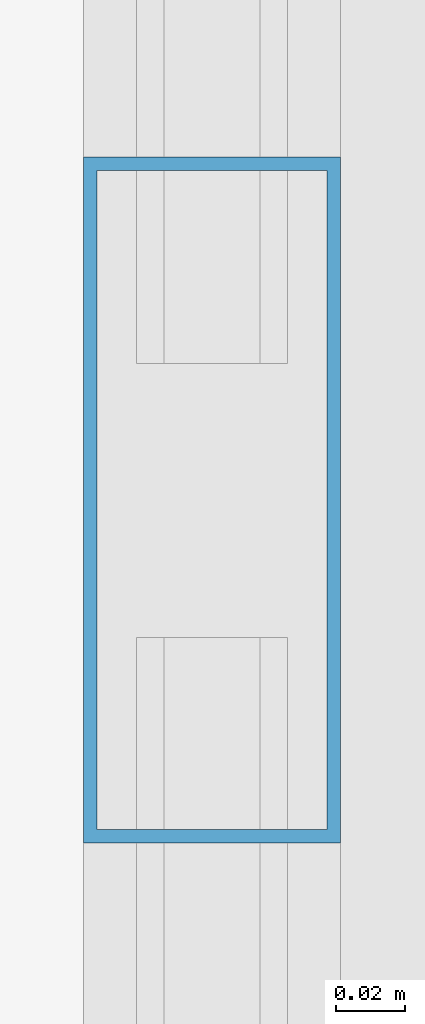
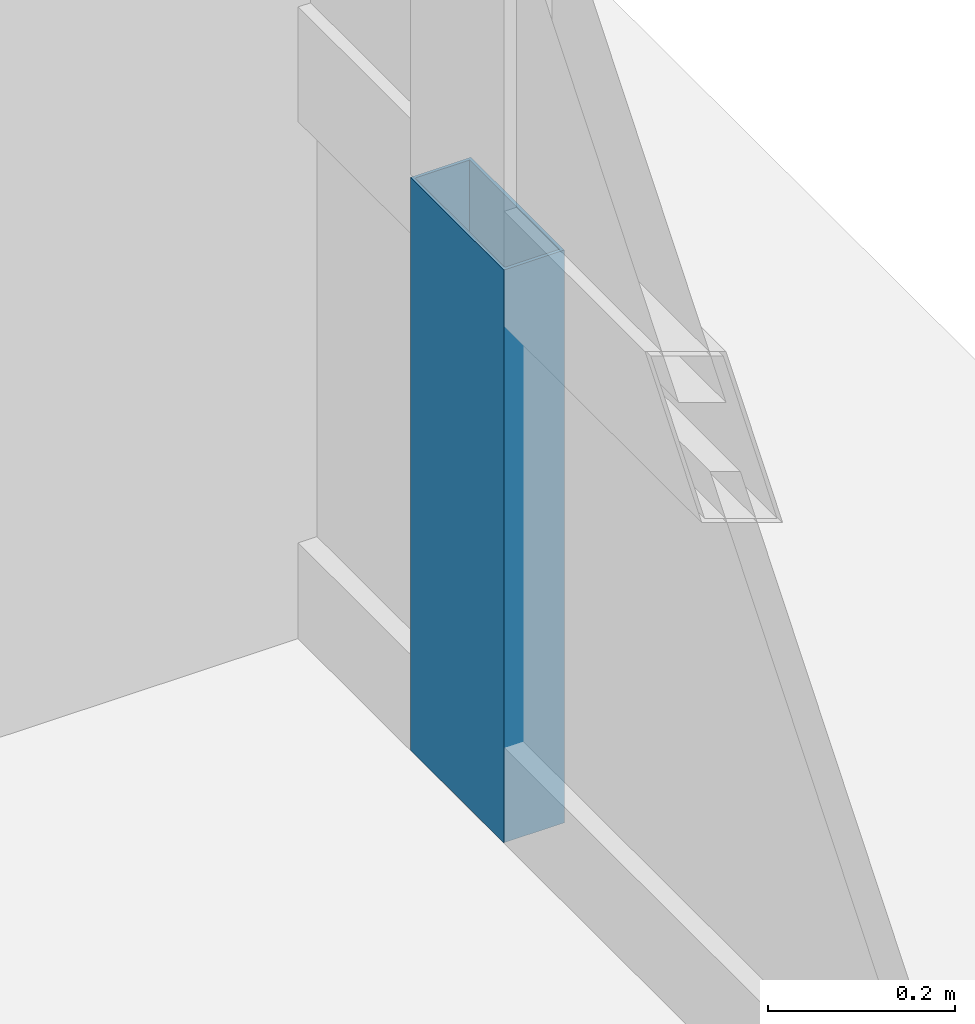
# One storey, part 25 of 35: 1 member, 1 element without a shape of its own.
"""IFC4 building model written with IfcOpenShell, lengths in metres."""

import ifcopenshell
import ifcopenshell.guid

model = None  # the IFC model being written
_history = None  # IfcOwnerHistory: only IFC2X3 demands one
_inside = {}  # id of a spatial element -> (the spatial element, [elements in it])
_under = {}  # id of a project, library or spatial element -> (it, [spatial elements below it])
_declared = {}  # id of a project -> (the project, [libraries it declares])
_typed = {}  # id of a type object -> (the type object, [elements of that type])
_made_of = {}  # id of a material, layer set ... -> (it, [elements and type objects made of it])


def new_model(schema):
    """Start an empty IFC model of exactly this schema.

    Asked for "IFC4X3", IfcOpenShell would pick the latest addendum, in which some entities
    have other attributes; the version numbers below select the first issue.
    IFC2X3 requires an IfcOwnerHistory on every rooted entity: one is made here for all.
    """
    global model, _history
    if schema == "IFC4X3":
        model = ifcopenshell.file(schema_version=(4, 3, 0, 0))
    else:
        model = ifcopenshell.file(schema=schema)
    _inside.clear()
    _under.clear()
    _declared.clear()
    _typed.clear()
    _made_of.clear()
    _history = None
    if model.schema == "IFC2X3":
        org = make("IfcOrganization", Name="unknown")
        user = make(
            "IfcPersonAndOrganization",
            ThePerson=make("IfcPerson", FamilyName="unknown"),
            TheOrganization=org,
        )
        app = make(
            "IfcApplication",
            ApplicationDeveloper=org,
            Version="unknown",
            ApplicationFullName="unknown",
            ApplicationIdentifier="unknown",
        )
        _history = make(
            "IfcOwnerHistory",
            OwningUser=user,
            OwningApplication=app,
            ChangeAction="ADDED",
            CreationDate=0,
        )
    return model


def make(cls, **values):
    """One entity of the class cls with the attributes given. An attribute that is None is left unset."""
    return model.create_entity(
        cls, **{name: value for name, value in values.items() if value is not None}
    )


def rooted(cls, **values):
    """An entity with a GlobalId (a new one), such as an element, a storey or a relation."""
    return make(cls, GlobalId=ifcopenshell.guid.new(), OwnerHistory=_history, **values)


def si_unit(unit_type, name, prefix=None):
    """IfcSIUnit, for example si_unit("LENGTHUNIT", "METRE", prefix="MILLI")."""
    return make("IfcSIUnit", UnitType=unit_type, Prefix=prefix, Name=name)


def assignment(units):
    """IfcUnitAssignment: the units of a project."""
    return None if units is None else make("IfcUnitAssignment", Units=units)


def point(xyz):
    """IfcCartesianPoint."""
    return None if xyz is None else make("IfcCartesianPoint", Coordinates=xyz)


def direction(xyz):
    """IfcDirection."""
    return None if xyz is None else make("IfcDirection", DirectionRatios=xyz)


def frame(location, z_axis=None, x_axis=None):
    """IfcAxis2Placement3D, a coordinate frame: its origin and axes. An axis left out is left unset."""
    return make(
        "IfcAxis2Placement3D",
        Location=point(location),
        Axis=direction(z_axis),
        RefDirection=direction(x_axis),
    )


def frame_2d(location, x_axis=None):
    """IfcAxis2Placement2D, a coordinate frame in the plane: its origin and x axis."""
    return make(
        "IfcAxis2Placement2D", Location=point(location), RefDirection=direction(x_axis)
    )


def origin():
    """The frame at (0, 0, 0) with its axes left unset."""
    return frame((0.0, 0.0, 0.0))


def origin_2d():
    """The frame at (0, 0) in the plane with its x axis left unset."""
    return frame_2d((0.0, 0.0))


def place(relative_to, where):
    """IfcLocalPlacement: puts the frame where relative to a parent placement (None: the world)."""
    return make(
        "IfcLocalPlacement", PlacementRelTo=relative_to, RelativePlacement=where
    )


def context(
    kind, dimensions, precision=None, world=None, true_north=None, identifier=None
):
    """IfcGeometricRepresentationContext, for example the 3D "Model" context."""
    return make(
        "IfcGeometricRepresentationContext",
        ContextIdentifier=identifier,
        ContextType=kind,
        CoordinateSpaceDimension=dimensions,
        Precision=precision,
        WorldCoordinateSystem=world,
        TrueNorth=true_north,
    )


def subcontext(parent, identifier, kind, view, scale=None):
    """IfcGeometricRepresentationSubContext, for example "Body" below "Model"."""
    return make(
        "IfcGeometricRepresentationSubContext",
        ContextIdentifier=identifier,
        ContextType=kind,
        ParentContext=parent,
        TargetScale=scale,
        TargetView=view,
    )


def project(units=None, contexts=None):
    """IfcProject with its units and contexts."""
    return rooted(
        "IfcProject",
        Name="project",
        RepresentationContexts=contexts,
        UnitsInContext=assignment(units),
    )


def spatial(cls, under=None, at=None, **own):
    """A site, building, storey or space (cls), placed at a placement, below another one or the project."""
    s = rooted(cls, ObjectPlacement=at, **own)
    if under is not None:
        _under.setdefault(under.id(), (under, []))[1].append(s)
    return s


def profile(cls, at=None, kind="AREA", **sizes):
    """A parametric profile (cls). Its sizes go by their IFC names, for example OverallWidth=200.0."""
    return make(cls, ProfileType=kind, Position=at, **sizes)


def hollow_rectangle(**sizes):
    """IfcRectangleHollowProfileDef."""
    return profile("IfcRectangleHollowProfileDef", **sizes)


def extrude(swept, where, along, depth):
    """IfcExtrudedAreaSolid: the profile swept, set in the frame where, extruded along a direction by depth."""
    return make(
        "IfcExtrudedAreaSolid",
        SweptArea=swept,
        Position=where,
        ExtrudedDirection=direction(along),
        Depth=depth,
    )


def shape(context_of_items, identifier, shape_type, items):
    """IfcShapeRepresentation: the items that make up one representation, for example the "Body"."""
    return make(
        "IfcShapeRepresentation",
        ContextOfItems=context_of_items,
        RepresentationIdentifier=identifier,
        RepresentationType=shape_type,
        Items=items,
    )


def source(mapping_origin, context_of_items, identifier, shape_type, items):
    """IfcRepresentationMap: a shape defined once, which mapped items show again and again."""
    return make(
        "IfcRepresentationMap",
        MappingOrigin=mapping_origin,
        MappedRepresentation=shape(context_of_items, identifier, shape_type, items),
    )


def transform(
    local_origin,
    x_axis=None,
    y_axis=None,
    z_axis=None,
    scale=None,
    scale2=None,
    scale3=None,
    uniform=True,
):
    """IfcCartesianTransformationOperator3D, or its non-uniform kind. x_axis, y_axis, z_axis: its Axis1, 2, 3."""
    if uniform:
        return make(
            "IfcCartesianTransformationOperator3D",
            Axis1=direction(x_axis),
            Axis2=direction(y_axis),
            LocalOrigin=point(local_origin),
            Scale=scale,
            Axis3=direction(z_axis),
        )
    return make(
        "IfcCartesianTransformationOperator3DnonUniform",
        Axis1=direction(x_axis),
        Axis2=direction(y_axis),
        LocalOrigin=point(local_origin),
        Scale=scale,
        Axis3=direction(z_axis),
        Scale2=scale2,
        Scale3=scale3,
    )


def mapped(mapping_source, mapping_target):
    """IfcMappedItem: shows the shape of a source again, moved by a transform."""
    return make(
        "IfcMappedItem", MappingSource=mapping_source, MappingTarget=mapping_target
    )


def material(Name=None, Category=None):
    """IfcMaterial."""
    return make("IfcMaterial", Name=Name, Category=Category)


def layer(
    of_material, thickness, ventilated=None, Name=None, Category=None, Priority=None
):
    """IfcMaterialLayer: one layer of a wall or slab, of a material (None: an air gap)."""
    return make(
        "IfcMaterialLayer",
        Material=of_material,
        LayerThickness=thickness,
        IsVentilated=ventilated,
        Name=Name,
        Category=Category,
        Priority=Priority,
    )


def layer_set(layers, Name=None):
    """IfcMaterialLayerSet."""
    return make("IfcMaterialLayerSet", MaterialLayers=layers, LayerSetName=Name)


def material_profile(
    of_material, cross_section, Name=None, Category=None, Priority=None
):
    """IfcMaterialProfile: a cross section and its material."""
    return make(
        "IfcMaterialProfile",
        Name=Name,
        Material=of_material,
        Profile=cross_section,
        Priority=Priority,
        Category=Category,
    )


def profile_set(profiles, Name=None, composite=None):
    """IfcMaterialProfileSet."""
    return make(
        "IfcMaterialProfileSet",
        Name=Name,
        MaterialProfiles=profiles,
        CompositeProfile=composite,
    )


def made_of(thing, what):
    """Note that an element or type object is made of a material, layer set ...; save() writes the relation."""
    if what is not None:
        _made_of.setdefault(what.id(), (what, []))[1].append(thing)
    return thing


def type_object(cls, material=None, **own):
    """A type object (cls), such as IfcWallType, which elements share."""
    return made_of(rooted(cls, **own), material)


def element(
    cls,
    number,
    at=None,
    inside=None,
    cuts=None,
    type_object=None,
    material=None,
    context=None,
    identifier="Body",
    shape_type=None,
    held_by="IfcProductDefinitionShape",
    body=None,
    shapes=None,
    **own,
):
    """One element of the class cls, such as IfcWall. Its Tag is "e" and its number.

    at: its placement. inside: the storey or other place that contains it. cuts: it is an
    opening in that element (IfcRelVoidsElement). A single representation is given by context,
    identifier, shape_type and body (its items); several are given by shapes. held_by: the class
    of the entity that holds the representations. save() writes the other relations.
    """
    e = rooted(cls, Tag="e%d" % number, ObjectPlacement=at, **own)
    if body is not None:
        shapes = [shape(context, identifier, shape_type, body)]
    if shapes is not None:
        e.Representation = make(held_by, Representations=shapes)
    if inside is not None:
        _inside.setdefault(inside.id(), (inside, []))[1].append(e)
    if cuts is not None:
        rooted(
            "IfcRelVoidsElement", RelatingBuildingElement=cuts, RelatedOpeningElement=e
        )
    if type_object is not None:
        _typed.setdefault(type_object.id(), (type_object, []))[1].append(e)
    return made_of(e, material)


def aggregate(whole, parts):
    """IfcRelAggregates: a whole, such as a stair, and the parts it consists of."""
    return rooted("IfcRelAggregates", RelatingObject=whole, RelatedObjects=parts)


def save(model, path):
    """Write the relations noted so far, then the file.

    IfcRelAggregates (storeys below a building ...), IfcRelContainedInSpatialStructure (elements
    in a storey), IfcRelDefinesByType, IfcRelAssociatesMaterial and IfcRelDeclares: one each for
    every whole, place, type object, material and project.
    """
    for whole, parts in _under.values():
        aggregate(whole, parts)
    for where, things in _inside.values():
        rooted(
            "IfcRelContainedInSpatialStructure",
            RelatedElements=things,
            RelatingStructure=where,
        )
    for kind, things in _typed.values():
        rooted("IfcRelDefinesByType", RelatedObjects=things, RelatingType=kind)
    for what, things in _made_of.values():
        rooted("IfcRelAssociatesMaterial", RelatedObjects=things, RelatingMaterial=what)
    for by, libraries in _declared.values():
        rooted("IfcRelDeclares", RelatingContext=by, RelatedDefinitions=libraries)
    model.write(path)


model = new_model("IFC4")

# Units and contexts
model_context = context("Model", 3, precision=1e-05, world=origin(), true_north=direction((0.0, 1.0)))
body_context = subcontext(model_context, "Body", "Model", "MODEL_VIEW")
ifc_project = project(units=[si_unit("LENGTHUNIT", "METRE"), si_unit("AREAUNIT", "SQUARE_METRE"), si_unit("VOLUMEUNIT", "CUBIC_METRE"), si_unit("PLANEANGLEUNIT", "RADIAN"), si_unit("MASSUNIT", "GRAM", prefix="KILO"), si_unit("THERMODYNAMICTEMPERATUREUNIT", "KELVIN"), si_unit("POWERUNIT", "WATT")], contexts=[model_context])

# Site, building, storey
site_placement = place(None, origin())
site = spatial("IfcSite", under=ifc_project, at=site_placement, CompositionType="ELEMENT")
building_placement = place(site_placement, origin())
building = spatial("IfcBuilding", under=site, at=building_placement, Name="Yuzanri Waterfront Tower", CompositionType="ELEMENT")
storey_placement = place(building_placement, frame((0.0, 0.0, 335.699951171875)))
storey = spatial("IfcBuildingStorey", under=building, at=storey_placement, Name="L90", CompositionType="ELEMENT", Elevation=335.699951171875)

# Curtain wall, member
ifc_material_1 = material(Name="Anodized Architectural Bronze", Category="metal")
ifc_layer = layer(ifc_material_1, 0.159912109375)
ifc_layer_set = layer_set([ifc_layer], Name="Anodized Architectural Bronze")
curtain_wall_type = type_object("IfcCurtainWallType", Name="Anodized Bronze High-Rise Penthouse High-Wind Unitized Curtain Wall 6900", PredefinedType="NOTDEFINED", material=ifc_layer_set)
curtain_wall_placement = place(storey_placement, origin())
curtain_wall = element("IfcCurtainWall", 1, at=curtain_wall_placement, inside=storey, type_object=curtain_wall_type, Name="L90 Curtain Wall CW-L90-ER", PredefinedType="NOTDEFINED")
ifc_material_2 = material(Name="Anodized Architectural Bronze", Category="metal")
ifc_material_profile = material_profile(ifc_material_2, hollow_rectangle(XDim=0.074951171875, YDim=0.199951171875, WallThickness=0.00390625, at=origin_2d()), Name="CWM 75x200")
ifc_profile_set = profile_set([ifc_material_profile], Name="Anodized Architectural Bronze")
member_type = type_object("IfcMemberType", Name="Anodized Bronze Primary Curtain-Wall Mullion 75x200", PredefinedType="MULLION", material=ifc_profile_set)
shared_shape = source(origin(), body_context, "Body", "SweptSolid", [
    extrude(hollow_rectangle(XDim=0.074951171875, YDim=0.199951171875, WallThickness=0.00390625, at=origin_2d()), origin(), (0.0, 0.0, 1.0), 0.748046875),
])
member_placement = place(storey_placement, frame((55.949951171875, 31.85009765625, 0.0), z_axis=(0.0, 0.0, 1.0), x_axis=(1.0, 0.0, 0.0)))
member = element("IfcMember", 2, at=member_placement, type_object=member_type, Name="CW-L90-ER Lower Mullion 01", PredefinedType="MULLION", context=body_context, shape_type="MappedRepresentation", body=[
    mapped(shared_shape, transform((0.0, 0.0, 0.0), scale=1.0)),
])
aggregate(curtain_wall, [member])

save(model, "model.ifc")
